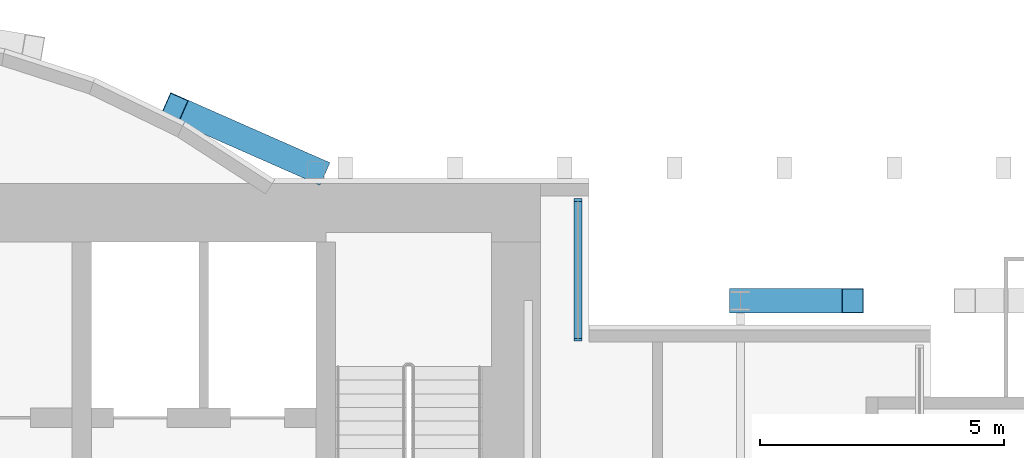
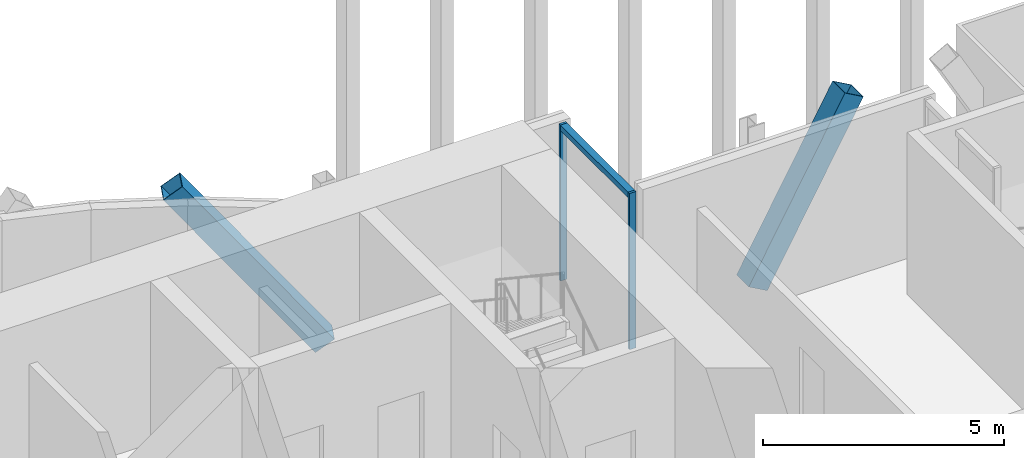
# One storey, part 11 of 22: 5 members, 1 element without a shape of its own.
"""IFC4 building model written with IfcOpenShell, lengths in metres."""

from ifc_helpers import new_model, si_unit, direction, frame, origin, origin_2d, place, context, subcontext, project, spatial, rectangle, hollow_rectangle, extrude, material, material_profile, profile_set, type_object, element, aggregate, save


model = new_model("IFC4")

# Units and contexts
model_context = context("Model", 3, precision=1e-05, world=origin(), true_north=direction((0.0, 1.0)))
body_context = subcontext(model_context, "Body", "Model", "MODEL_VIEW")
ifc_project = project(units=[si_unit("LENGTHUNIT", "METRE"), si_unit("AREAUNIT", "SQUARE_METRE"), si_unit("VOLUMEUNIT", "CUBIC_METRE"), si_unit("PLANEANGLEUNIT", "RADIAN"), si_unit("MASSUNIT", "GRAM", prefix="KILO")], contexts=[model_context])

# Site, building, storey
site_placement = place(None, origin())
site = spatial("IfcSite", under=ifc_project, at=site_placement, CompositionType="ELEMENT")
building_placement = place(site_placement, origin())
building = spatial("IfcBuilding", under=site, at=building_placement, Name="Bicima Exchange Tower", CompositionType="ELEMENT")
storey_placement = place(building_placement, frame((0.0, 0.0, 89.89990234375)))
storey = spatial("IfcBuildingStorey", under=building, at=storey_placement, Name="L18", CompositionType="ELEMENT", Elevation=89.89990234375)

# Curtain wall, members
ifc_material_1 = material(Name="Anodised bronze aluminium", Category="aluminium")
curtain_wall_type = type_object("IfcCurtainWallType", Name="Front glass wall", PredefinedType="NOTDEFINED", material=ifc_material_1)
curtain_wall_placement = place(storey_placement, origin())
curtain_wall = element("IfcCurtainWall", 1, at=curtain_wall_placement, inside=storey, type_object=curtain_wall_type, Name="Front glass wall L18 run 3", PredefinedType="NOTDEFINED")
ifc_material_profile_1 = material_profile(ifc_material_1, rectangle(XDim=0.159912109375, YDim=0.06005859375, at=origin_2d()))
ifc_profile_set_1 = profile_set([ifc_material_profile_1], Name="Anodised bronze aluminium")
member_type_1 = type_object("IfcMemberType", Name="Front glass wall mullion 60 x 160", PredefinedType="MULLION", material=ifc_profile_set_1)
member_1_placement = place(storey_placement, frame((22.77001953125, -3.199951171875, 0.0), z_axis=(0.0, 0.0, 1.0), x_axis=(-1.0, 0.0, 0.0)))
member_1 = element("IfcMember", 2, at=member_1_placement, type_object=member_type_1, Name="Front glass wall mullion 1", PredefinedType="MULLION", context=body_context, shape_type="SweptSolid", body=[
    extrude(rectangle(XDim=0.159912109375, YDim=0.06005859375, at=origin_2d()), origin(), (0.0, 0.0, 1.0), 3.9501953125),
])
member_2_placement = place(storey_placement, frame((22.77001953125, -0.340087890625, 0.0), z_axis=(0.0, 0.0, 1.0), x_axis=(-1.0, 0.0, 0.0)))
member_2 = element("IfcMember", 3, at=member_2_placement, type_object=member_type_1, Name="Front glass wall mullion 2", PredefinedType="MULLION", context=body_context, shape_type="SweptSolid", body=[
    extrude(rectangle(XDim=0.159912109375, YDim=0.06005859375, at=origin_2d()), origin(), (0.0, 0.0, 1.0), 3.9501953125),
])
ifc_material_profile_2 = material_profile(ifc_material_1, rectangle(XDim=0.159912109375, YDim=0.139892578125, at=origin_2d()))
ifc_profile_set_2 = profile_set([ifc_material_profile_2], Name="Anodised bronze aluminium")
member_type_2 = type_object("IfcMemberType", Name="Front glass wall transom 140 x 160", PredefinedType="USERDEFINED", material=ifc_profile_set_2)
member_3_placement = place(storey_placement, frame((22.77001953125, -3.169921875, 3.880126953125), z_axis=(0.0, 1.0, 0.0), x_axis=(-1.0, 0.0, 0.0)))
member_3 = element("IfcMember", 4, at=member_3_placement, type_object=member_type_2, Name="Front glass wall transom 1.1", ObjectType="TRANSOM", PredefinedType="USERDEFINED", context=body_context, shape_type="SweptSolid", body=[
    extrude(rectangle(XDim=0.159912109375, YDim=0.139892578125, at=origin_2d()), origin(), (0.0, 0.0, 1.0), 2.7998046875),
])
aggregate(curtain_wall, [member_1, member_2, member_3])

# Members
ifc_material_2 = material(Name="Steel ASTM A572 Gr 50", Category="steel")
ifc_material_profile_3 = material_profile(ifc_material_2, hollow_rectangle(XDim=0.508056640625, YDim=0.508056640625, WallThickness=0.0146484375, at=origin_2d()))
ifc_profile_set_3 = profile_set([ifc_material_profile_3], Name="Steel ASTM A572 Gr 50")
member_type_3 = type_object("IfcMemberType", Name="Mega brace HSS20x20x5/8", PredefinedType="BRACE", material=ifc_profile_set_3)
member_4_placement = place(storey_placement, frame((17.39990234375, 0.278076171875, 0.0), z_axis=(-0.559604503225, 0.246634919547, 0.79121047543), x_axis=(-0.403298774981, -0.915068357063, 0.0)))
element("IfcMember", 5, at=member_4_placement, inside=storey, type_object=member_type_3, Name="Mega brace rexo", PredefinedType="BRACE", context=body_context, shape_type="SweptSolid", body=[
    extrude(hollow_rectangle(XDim=0.508056640625, YDim=0.508056640625, WallThickness=0.0146484375, at=origin_2d()), origin(), (0.0, 0.0, 1.0), 5.18212890625),
])
member_5_placement = place(storey_placement, frame((26.10009765625, -2.39990234375, 0.0), z_axis=(0.489210508179, 0.0, 0.872165740377), x_axis=(0.0, 1.0, 0.0)))
element("IfcMember", 6, at=member_5_placement, inside=storey, type_object=member_type_3, Name="Mega brace rear", PredefinedType="BRACE", context=body_context, shape_type="SweptSolid", body=[
    extrude(hollow_rectangle(XDim=0.508056640625, YDim=0.508056640625, WallThickness=0.0146484375, at=origin_2d()), origin(), (0.0, 0.0, 1.0), 4.701171875),
])

save(model, "model.ifc")
